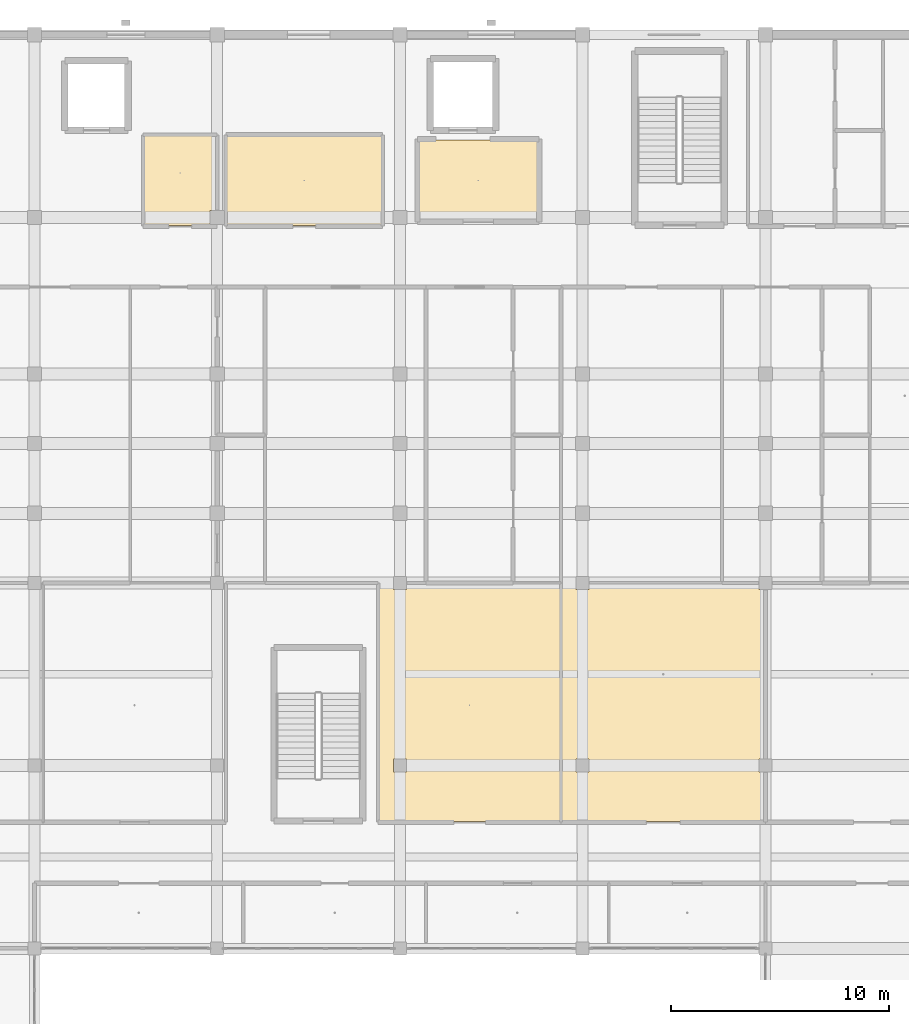
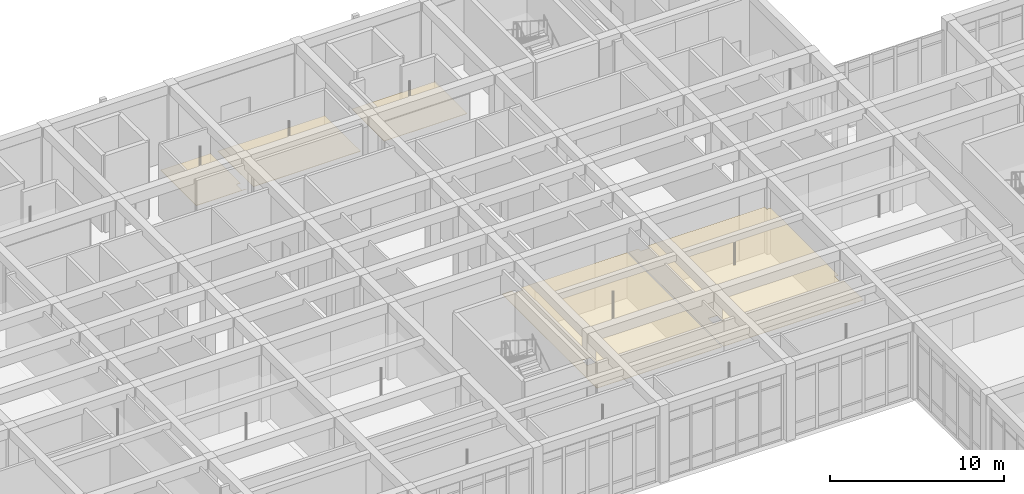
# One storey, part 141 of 157: 5 coverings.
"""IFC4 building model written with IfcOpenShell, lengths in metres."""

import ifcopenshell
import ifcopenshell.guid

model = None  # the IFC model being written
_history = None  # IfcOwnerHistory: only IFC2X3 demands one
_inside = {}  # id of a spatial element -> (the spatial element, [elements in it])
_under = {}  # id of a project, library or spatial element -> (it, [spatial elements below it])
_declared = {}  # id of a project -> (the project, [libraries it declares])
_typed = {}  # id of a type object -> (the type object, [elements of that type])
_made_of = {}  # id of a material, layer set ... -> (it, [elements and type objects made of it])


def new_model(schema):
    """Start an empty IFC model of exactly this schema.

    Asked for "IFC4X3", IfcOpenShell would pick the latest addendum, in which some entities
    have other attributes; the version numbers below select the first issue.
    IFC2X3 requires an IfcOwnerHistory on every rooted entity: one is made here for all.
    """
    global model, _history
    if schema == "IFC4X3":
        model = ifcopenshell.file(schema_version=(4, 3, 0, 0))
    else:
        model = ifcopenshell.file(schema=schema)
    _inside.clear()
    _under.clear()
    _declared.clear()
    _typed.clear()
    _made_of.clear()
    _history = None
    if model.schema == "IFC2X3":
        org = make("IfcOrganization", Name="unknown")
        user = make(
            "IfcPersonAndOrganization",
            ThePerson=make("IfcPerson", FamilyName="unknown"),
            TheOrganization=org,
        )
        app = make(
            "IfcApplication",
            ApplicationDeveloper=org,
            Version="unknown",
            ApplicationFullName="unknown",
            ApplicationIdentifier="unknown",
        )
        _history = make(
            "IfcOwnerHistory",
            OwningUser=user,
            OwningApplication=app,
            ChangeAction="ADDED",
            CreationDate=0,
        )
    return model


def make(cls, **values):
    """One entity of the class cls with the attributes given. An attribute that is None is left unset."""
    return model.create_entity(
        cls, **{name: value for name, value in values.items() if value is not None}
    )


def rooted(cls, **values):
    """An entity with a GlobalId (a new one), such as an element, a storey or a relation."""
    return make(cls, GlobalId=ifcopenshell.guid.new(), OwnerHistory=_history, **values)


def si_unit(unit_type, name, prefix=None):
    """IfcSIUnit, for example si_unit("LENGTHUNIT", "METRE", prefix="MILLI")."""
    return make("IfcSIUnit", UnitType=unit_type, Prefix=prefix, Name=name)


def assignment(units):
    """IfcUnitAssignment: the units of a project."""
    return None if units is None else make("IfcUnitAssignment", Units=units)


def point(xyz):
    """IfcCartesianPoint."""
    return None if xyz is None else make("IfcCartesianPoint", Coordinates=xyz)


def direction(xyz):
    """IfcDirection."""
    return None if xyz is None else make("IfcDirection", DirectionRatios=xyz)


def frame(location, z_axis=None, x_axis=None):
    """IfcAxis2Placement3D, a coordinate frame: its origin and axes. An axis left out is left unset."""
    return make(
        "IfcAxis2Placement3D",
        Location=point(location),
        Axis=direction(z_axis),
        RefDirection=direction(x_axis),
    )


def origin():
    """The frame at (0, 0, 0) with its axes left unset."""
    return frame((0.0, 0.0, 0.0))


def place(relative_to, where):
    """IfcLocalPlacement: puts the frame where relative to a parent placement (None: the world)."""
    return make(
        "IfcLocalPlacement", PlacementRelTo=relative_to, RelativePlacement=where
    )


def context(
    kind, dimensions, precision=None, world=None, true_north=None, identifier=None
):
    """IfcGeometricRepresentationContext, for example the 3D "Model" context."""
    return make(
        "IfcGeometricRepresentationContext",
        ContextIdentifier=identifier,
        ContextType=kind,
        CoordinateSpaceDimension=dimensions,
        Precision=precision,
        WorldCoordinateSystem=world,
        TrueNorth=true_north,
    )


def subcontext(parent, identifier, kind, view, scale=None):
    """IfcGeometricRepresentationSubContext, for example "Body" below "Model"."""
    return make(
        "IfcGeometricRepresentationSubContext",
        ContextIdentifier=identifier,
        ContextType=kind,
        ParentContext=parent,
        TargetScale=scale,
        TargetView=view,
    )


def project(units=None, contexts=None):
    """IfcProject with its units and contexts."""
    return rooted(
        "IfcProject",
        Name="project",
        RepresentationContexts=contexts,
        UnitsInContext=assignment(units),
    )


def spatial(cls, under=None, at=None, **own):
    """A site, building, storey or space (cls), placed at a placement, below another one or the project."""
    s = rooted(cls, ObjectPlacement=at, **own)
    if under is not None:
        _under.setdefault(under.id(), (under, []))[1].append(s)
    return s


def polyline(points):
    """IfcPolyline through the points."""
    return make("IfcPolyline", Points=[point(p) for p in points])


def outline(outer, holes=None, kind="AREA"):
    """IfcArbitraryClosedProfileDef: a profile drawn as a closed curve; with holes, ...WithVoids."""
    if holes is None:
        return make("IfcArbitraryClosedProfileDef", ProfileType=kind, OuterCurve=outer)
    return make(
        "IfcArbitraryProfileDefWithVoids",
        ProfileType=kind,
        OuterCurve=outer,
        InnerCurves=holes,
    )


def extrude(swept, where, along, depth):
    """IfcExtrudedAreaSolid: the profile swept, set in the frame where, extruded along a direction by depth."""
    return make(
        "IfcExtrudedAreaSolid",
        SweptArea=swept,
        Position=where,
        ExtrudedDirection=direction(along),
        Depth=depth,
    )


def shape(context_of_items, identifier, shape_type, items):
    """IfcShapeRepresentation: the items that make up one representation, for example the "Body"."""
    return make(
        "IfcShapeRepresentation",
        ContextOfItems=context_of_items,
        RepresentationIdentifier=identifier,
        RepresentationType=shape_type,
        Items=items,
    )


def material(Name=None, Category=None):
    """IfcMaterial."""
    return make("IfcMaterial", Name=Name, Category=Category)


def layer(
    of_material, thickness, ventilated=None, Name=None, Category=None, Priority=None
):
    """IfcMaterialLayer: one layer of a wall or slab, of a material (None: an air gap)."""
    return make(
        "IfcMaterialLayer",
        Material=of_material,
        LayerThickness=thickness,
        IsVentilated=ventilated,
        Name=Name,
        Category=Category,
        Priority=Priority,
    )


def layer_set(layers, Name=None):
    """IfcMaterialLayerSet."""
    return make("IfcMaterialLayerSet", MaterialLayers=layers, LayerSetName=Name)


def made_of(thing, what):
    """Note that an element or type object is made of a material, layer set ...; save() writes the relation."""
    if what is not None:
        _made_of.setdefault(what.id(), (what, []))[1].append(thing)
    return thing


def type_object(cls, material=None, **own):
    """A type object (cls), such as IfcWallType, which elements share."""
    return made_of(rooted(cls, **own), material)


def element(
    cls,
    number,
    at=None,
    inside=None,
    cuts=None,
    type_object=None,
    material=None,
    context=None,
    identifier="Body",
    shape_type=None,
    held_by="IfcProductDefinitionShape",
    body=None,
    shapes=None,
    **own,
):
    """One element of the class cls, such as IfcWall. Its Tag is "e" and its number.

    at: its placement. inside: the storey or other place that contains it. cuts: it is an
    opening in that element (IfcRelVoidsElement). A single representation is given by context,
    identifier, shape_type and body (its items); several are given by shapes. held_by: the class
    of the entity that holds the representations. save() writes the other relations.
    """
    e = rooted(cls, Tag="e%d" % number, ObjectPlacement=at, **own)
    if body is not None:
        shapes = [shape(context, identifier, shape_type, body)]
    if shapes is not None:
        e.Representation = make(held_by, Representations=shapes)
    if inside is not None:
        _inside.setdefault(inside.id(), (inside, []))[1].append(e)
    if cuts is not None:
        rooted(
            "IfcRelVoidsElement", RelatingBuildingElement=cuts, RelatedOpeningElement=e
        )
    if type_object is not None:
        _typed.setdefault(type_object.id(), (type_object, []))[1].append(e)
    return made_of(e, material)


def aggregate(whole, parts):
    """IfcRelAggregates: a whole, such as a stair, and the parts it consists of."""
    return rooted("IfcRelAggregates", RelatingObject=whole, RelatedObjects=parts)


def save(model, path):
    """Write the relations noted so far, then the file.

    IfcRelAggregates (storeys below a building ...), IfcRelContainedInSpatialStructure (elements
    in a storey), IfcRelDefinesByType, IfcRelAssociatesMaterial and IfcRelDeclares: one each for
    every whole, place, type object, material and project.
    """
    for whole, parts in _under.values():
        aggregate(whole, parts)
    for where, things in _inside.values():
        rooted(
            "IfcRelContainedInSpatialStructure",
            RelatedElements=things,
            RelatingStructure=where,
        )
    for kind, things in _typed.values():
        rooted("IfcRelDefinesByType", RelatedObjects=things, RelatingType=kind)
    for what, things in _made_of.values():
        rooted("IfcRelAssociatesMaterial", RelatedObjects=things, RelatingMaterial=what)
    for by, libraries in _declared.values():
        rooted("IfcRelDeclares", RelatingContext=by, RelatedDefinitions=libraries)
    model.write(path)


model = new_model("IFC4")

# Units and contexts
model_context = context("Model", 3, precision=1e-05, world=origin(), true_north=direction((0.0, 1.0)))
body_context = subcontext(model_context, "Body", "Model", "MODEL_VIEW")
ifc_project = project(units=[si_unit("LENGTHUNIT", "METRE"), si_unit("AREAUNIT", "SQUARE_METRE"), si_unit("VOLUMEUNIT", "CUBIC_METRE"), si_unit("PLANEANGLEUNIT", "RADIAN"), si_unit("MASSUNIT", "GRAM", prefix="KILO")], contexts=[model_context])

# Site, building, storey
site_placement = place(None, origin())
site = spatial("IfcSite", under=ifc_project, at=site_placement, CompositionType="ELEMENT")
building_placement = place(site_placement, origin())
building = spatial("IfcBuilding", under=site, at=building_placement, Name="Varncliffe General Hospital", CompositionType="ELEMENT")
storey_placement = place(building_placement, frame((0.0, 0.0, 5.39990234375)))
storey = spatial("IfcBuildingStorey", under=building, at=storey_placement, Name="L01", CompositionType="ELEMENT", Elevation=5.39990234375)

# Coverings
ifc_material = material(Name="Hygienic antimicrobial acoustic suspended ceiling tile", Category="gypsum")
ifc_layer = layer(ifc_material, 0.02490234375)
ifc_layer_set = layer_set([ifc_layer], Name="Hygienic antimicrobial acoustic suspended ceiling tile")
covering_type = type_object("IfcCoveringType", Name="Antimicrobial Acoustic Suspended Ceiling CLG44", PredefinedType="CEILING", material=ifc_layer_set)
covering_1_placement = place(storey_placement, frame((0.0, 0.0, 3.175048828125)))
element("IfcCovering", 1, at=covering_1_placement, inside=storey, type_object=covering_type, Name="L01 Firefighting Lift Lobby LF02 Suspended Ceiling", PredefinedType="CEILING", context=body_context, shape_type="SweptSolid", body=[
    extrude(outline(polyline([(48.360107421875, 116.239990234375), (48.360107421875, 119.9599609375), (42.840087890625, 119.9599609375), (42.840087890625, 116.239990234375), (48.360107421875, 116.239990234375)])), origin(), (0.0, 0.0, 1.0), 0.025146484375),
])
covering_2_placement = place(storey_placement, frame((0.0, 0.0, 3.175048828125)))
element("IfcCovering", 2, at=covering_2_placement, inside=storey, type_object=covering_type, Name="L01 Accessible WC L01-NW Suspended Ceiling", PredefinedType="CEILING", context=body_context, shape_type="SweptSolid", body=[
    extrude(outline(polyline([(33.56005859375, 116.0400390625), (30.239990234375, 116.0400390625), (30.239990234375, 120.159912109375), (33.56005859375, 120.159912109375), (33.56005859375, 116.72509765625), (33.27490234375, 116.72509765625), (33.27490234375, 116.074951171875), (33.56005859375, 116.074951171875), (33.56005859375, 116.0400390625)])), origin(), (0.0, 0.0, 1.0), 0.025146484375),
])
covering_3_placement = place(storey_placement, frame((0.0, 0.0, 3.175048828125)))
element("IfcCovering", 3, at=covering_3_placement, inside=storey, type_object=covering_type, Name="L01 Staff and Visitor WC L01-NW Suspended Ceiling", PredefinedType="CEILING", context=body_context, shape_type="SweptSolid", body=[
    extrude(outline(polyline([(41.159912109375, 116.0400390625), (41.159912109375, 120.159912109375), (34.0400390625, 120.159912109375), (34.0400390625, 116.0400390625), (41.159912109375, 116.0400390625)])), origin(), (0.0, 0.0, 1.0), 0.025146484375),
])
covering_4_placement = place(storey_placement, frame((0.0, 0.0, 3.175048828125)))
element("IfcCovering", 4, at=covering_4_placement, inside=storey, type_object=covering_type, Name="L01 Transfusion Blood Bank Laboratory 75 Suspended Ceiling", PredefinedType="CEILING", context=body_context, shape_type="SweptSolid", body=[
    extrude(outline(polyline([(49.360107421875, 99.56005859375), (49.360107421875, 88.639892578125), (41.0400390625, 88.639892578125), (41.0400390625, 99.56005859375), (41.699951171875, 99.56005859375), (41.699951171875, 99.300048828125), (42.300048828125, 99.300048828125), (42.300048828125, 99.56005859375), (49.360107421875, 99.56005859375)]), holes=[polyline([(42.300048828125, 90.89990234375), (42.300048828125, 91.5), (41.699951171875, 91.5), (41.699951171875, 90.89990234375), (42.300048828125, 90.89990234375)])]), origin(), (0.0, 0.0, 1.0), 0.025146484375),
])
covering_5_placement = place(storey_placement, frame((0.0, 0.0, 3.175048828125)))
element("IfcCovering", 5, at=covering_5_placement, inside=storey, type_object=covering_type, Name="L01 Clinical Microbiology Laboratory 76 Suspended Ceiling", PredefinedType="CEILING", context=body_context, shape_type="SweptSolid", body=[
    extrude(outline(polyline([(58.5, 91.5), (58.5, 90.89990234375), (58.760009765625, 90.89990234375), (58.760009765625, 88.639892578125), (49.43994140625, 88.639892578125), (49.43994140625, 99.56005859375), (50.10009765625, 99.56005859375), (50.10009765625, 99.300048828125), (50.699951171875, 99.300048828125), (50.699951171875, 99.56005859375), (58.5, 99.56005859375), (58.5, 99.300048828125), (58.760009765625, 99.300048828125), (58.760009765625, 91.5), (58.5, 91.5)]), holes=[polyline([(50.699951171875, 90.89990234375), (50.699951171875, 91.5), (50.10009765625, 91.5), (50.10009765625, 90.89990234375), (50.699951171875, 90.89990234375)])]), origin(), (0.0, 0.0, 1.0), 0.025146484375),
])

save(model, "model.ifc")
